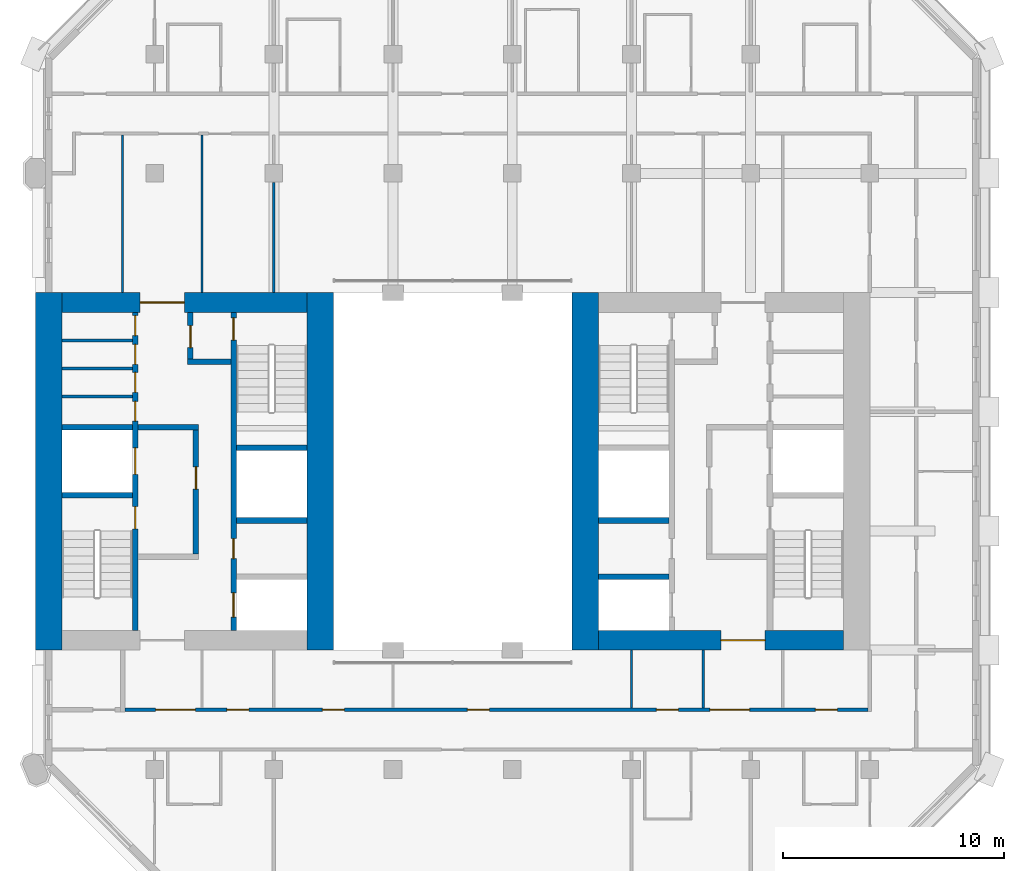
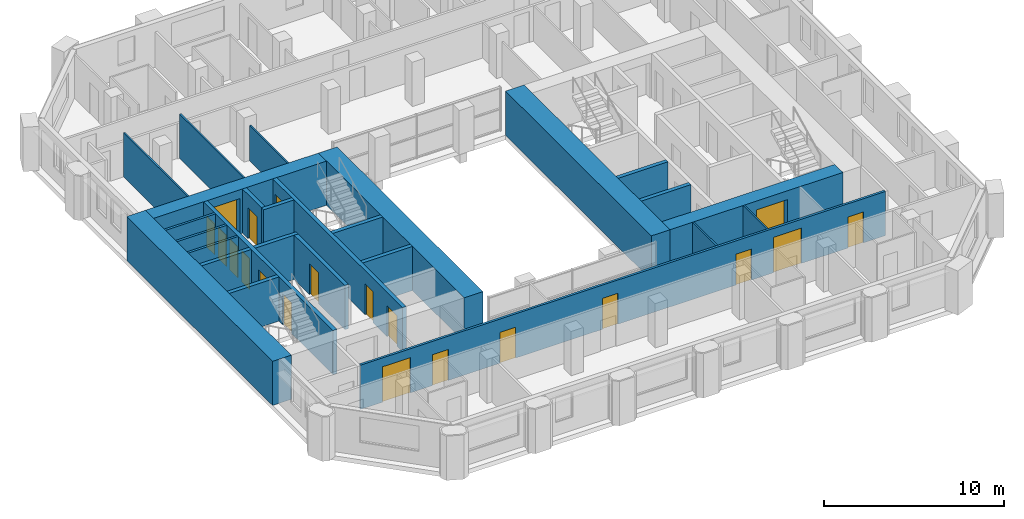
# One storey, part 5 of 12: 26 walls, 20 doors, 20 openings.
"""IFC4 building model written with IfcOpenShell, lengths in metres."""

from ifc_helpers import new_model, si_unit, direction, frame, frame_2d, origin, place, context, subcontext, project, spatial, rectangle, extrude, material, layer, layer_set, type_object, element, fill, save


model = new_model("IFC4")

# Units and contexts
model_context = context("Model", 3, precision=1e-05, world=origin(), true_north=direction((0.0, 1.0)))
body_context = subcontext(model_context, "Body", "Model", "MODEL_VIEW")
ifc_project = project(units=[si_unit("LENGTHUNIT", "METRE"), si_unit("AREAUNIT", "SQUARE_METRE"), si_unit("VOLUMEUNIT", "CUBIC_METRE"), si_unit("PLANEANGLEUNIT", "RADIAN"), si_unit("MASSUNIT", "GRAM", prefix="KILO")], contexts=[model_context])

# Site, building, storey
site_placement = place(None, origin())
site = spatial("IfcSite", under=ifc_project, at=site_placement, CompositionType="ELEMENT")
building_placement = place(site_placement, origin())
building = spatial("IfcBuilding", under=site, at=building_placement, Name="Tabaq Tower and Sports Hall", CompositionType="ELEMENT")
storey_placement = place(building_placement, frame((0.0, 0.0, 193.89990234375)))
storey = spatial("IfcBuildingStorey", under=building, at=storey_placement, Name="L47", CompositionType="ELEMENT", Elevation=193.89990234375)

# Walls
ifc_material_1 = material(Name="Blockwork", Category="masonry")
ifc_layer_1 = layer(ifc_material_1, 0.14990234375)
ifc_layer_set_1 = layer_set([ifc_layer_1], Name="Core room partition 150 Blockwork")
wall_type_1 = type_object("IfcWallType", Name="Core room partition 150 Blockwork", PredefinedType="PARTITIONING", material=ifc_layer_set_1)
for number, where, z_axis, x_axis, name in (
    (1, (6.60009765625, 27.694091796875, 0.0), (0.0, 0.0, 1.0), (1.0, 0.0, 0.0), "Core room partition W L47"),
    (2, (6.60009765625, 28.962890625, 0.0), (0.0, 0.0, 1.0), (1.0, 0.0, 0.0), "Core room partition W L47"),
    (3, (6.60009765625, 30.23193359375, 0.0), (0.0, 0.0, 1.0), (1.0, 0.0, 0.0), "Core room partition W L47"),
):
    element("IfcWall", number, at=place(storey_placement, frame(where, z_axis=z_axis, x_axis=x_axis)), inside=storey, type_object=wall_type_1, Name=name, PredefinedType="PARTITIONING", context=body_context, shape_type="SweptSolid", body=[
        extrude(rectangle(XDim=3.199951171875, YDim=0.14990234375, at=frame_2d((1.60009765625, 0.0))), origin(), (0.0, 0.0, 1.0), 3.0),
    ])
ifc_material_2 = material(Name="Concrete C50/60", Category="concrete")
ifc_layer_2 = layer(ifc_material_2, 1.199951171875)
ifc_layer_set_2 = layer_set([ifc_layer_2], Name="Core wall 1200 Concrete C50/60")
wall_type_2 = type_object("IfcWallType", Name="Core wall 1200 Concrete C50/60", PredefinedType="SOLIDWALL", material=ifc_layer_set_2)
for number, where, z_axis, x_axis, name in (
    (4, (6.0, 16.199951171875, 0.0), (0.0, 0.0, 1.0), (0.0, 1.0, 0.0), "Core wall W L47"),
    (5, (18.300048828125, 32.39990234375, 0.0), (0.0, 0.0, 1.0), (0.0, -1.0, 0.0), "Core wall W L47"),
    (6, (30.300048828125, 16.199951171875, 0.0), (0.0, 0.0, 1.0), (0.0, 1.0, 0.0), "Core wall E L47"),
):
    element("IfcWall", number, at=place(storey_placement, frame(where, z_axis=z_axis, x_axis=x_axis)), inside=storey, type_object=wall_type_2, Name=name, PredefinedType="SOLIDWALL", context=body_context, shape_type="SweptSolid", body=[
        extrude(rectangle(XDim=16.199951171875, YDim=1.199951171875, at=frame_2d((8.10009765625, 0.0))), origin(), (0.0, 0.0, 1.0), 3.0),
    ])

# Wall, opening, door
ifc_material_3 = material(Name="Concrete C50/60", Category="concrete")
ifc_layer_3 = layer(ifc_material_3, 0.89990234375)
ifc_layer_set_3 = layer_set([ifc_layer_3], Name="Core wall 900 Concrete C50/60")
wall_type_3 = type_object("IfcWallType", Name="Core wall 900 Concrete C50/60", PredefinedType="SOLIDWALL", material=ifc_layer_set_3)
wall_1_placement = place(storey_placement, frame((6.60009765625, 31.949951171875, 0.0), z_axis=(0.0, 0.0, 1.0), x_axis=(1.0, 0.0, 0.0)))
wall_1 = element("IfcWall", 7, at=wall_1_placement, inside=storey, type_object=wall_type_3, Name="Core wall W L47", PredefinedType="SOLIDWALL", context=body_context, shape_type="SweptSolid", body=[
    extrude(rectangle(XDim=11.099853515625, YDim=0.89990234375, at=frame_2d((5.5498046875, 0.0))), origin(), (0.0, 0.0, 1.0), 3.0),
])
opening_1_placement = place(wall_1_placement, frame((3.550048828125, 0.0, 0.0)))
opening_1 = element("IfcOpeningElement", 8, at=opening_1_placement, cuts=wall_1, Name="Opening PD-WL47-02", PredefinedType="OPENING", context=body_context, shape_type="SweptSolid", body=[
    extrude(rectangle(XDim=2.0, YDim=2.39990234375, at=frame_2d((1.0, 1.199951171875))), frame((0.0, 0.449951171875, 0.0), z_axis=(0.0, -1.0, 0.0), x_axis=(1.0, 0.0, 0.0)), (0.0, 0.0, 1.0), 0.89990234375),
])
ifc_material_4 = material(Name="Steel fire door", Category="steel")
door_type_1 = type_object("IfcDoorType", Name="Core entrance door 2000", OperationType="DOUBLE_DOOR_SINGLE_SWING", PredefinedType="DOOR", material=ifc_material_4)
door_1_placement = place(opening_1_placement, origin())
door_1 = element("IfcDoor", 9, at=door_1_placement, inside=storey, type_object=door_type_1, Name="Core entrance north W L47", OperationType="DOUBLE_DOOR_SINGLE_SWING", OverallHeight=2.39990234375, OverallWidth=2.0, PredefinedType="DOOR", context=body_context, shape_type="SweptSolid", body=[
    extrude(rectangle(XDim=2.0, YDim=2.39990234375, at=frame_2d((1.0, 1.199951171875))), frame((0.0, 0.02490234375, 0.0), z_axis=(0.0, -1.0, 0.0), x_axis=(1.0, 0.0, 0.0)), (0.0, 0.0, 1.0), 0.050048828125),
])
fill(opening_1, door_1)

wall_2_placement = place(storey_placement, frame((42.0, 16.64990234375, 0.0), z_axis=(0.0, 0.0, 1.0), x_axis=(-1.0, 0.0, 0.0)))
wall_2 = element("IfcWall", 10, at=wall_2_placement, inside=storey, type_object=wall_type_3, Name="Core wall E L47", PredefinedType="SOLIDWALL", context=body_context, shape_type="SweptSolid", body=[
    extrude(rectangle(XDim=11.10009765625, YDim=0.89990234375, at=frame_2d((5.550048828125, 0.0))), origin(), (0.0, 0.0, 1.0), 3.0),
])
opening_2_placement = place(wall_2_placement, frame((3.550048828125, 0.0, 0.0)))
opening_2 = element("IfcOpeningElement", 11, at=opening_2_placement, cuts=wall_2, Name="Opening PD-EL47-01", PredefinedType="OPENING", context=body_context, shape_type="SweptSolid", body=[
    extrude(rectangle(XDim=2.0, YDim=2.39990234375, at=frame_2d((1.0, 1.199951171875))), frame((0.0, 0.449951171875, 0.0), z_axis=(0.0, -1.0, 0.0), x_axis=(1.0, 0.0, 0.0)), (0.0, 0.0, 1.0), 0.89990234375),
])
door_2_placement = place(opening_2_placement, origin())
door_2 = element("IfcDoor", 12, at=door_2_placement, inside=storey, type_object=door_type_1, Name="Core entrance south E L47", OperationType="DOUBLE_DOOR_SINGLE_SWING", OverallHeight=2.39990234375, OverallWidth=2.0, PredefinedType="DOOR", context=body_context, shape_type="SweptSolid", body=[
    extrude(rectangle(XDim=2.0, YDim=2.39990234375, at=frame_2d((1.0, 1.199951171875))), frame((0.0, 0.02490234375, 0.0), z_axis=(0.0, -1.0, 0.0), x_axis=(1.0, 0.0, 0.0)), (0.0, 0.0, 1.0), 0.050048828125),
])
fill(opening_2, door_2)

# Walls
ifc_material_5 = material(Name="Gypsum board on steel studs", Category="steel")
ifc_layer_4 = layer(ifc_material_5, 0.10009765625)
ifc_layer_set_4 = layer_set([ifc_layer_4], Name="Partition 100 Gypsum board")
wall_type_4 = type_object("IfcWallType", Name="Partition 100 Gypsum board", PredefinedType="PARTITIONING", material=ifc_layer_set_4)
wall_3_placement = place(storey_placement, frame((16.199951171875, 37.3798828125, 0.0), z_axis=(0.0, 0.0, 1.0), x_axis=(0.0, -1.0, 0.0)))
element("IfcWall", 13, at=wall_3_placement, inside=storey, type_object=wall_type_4, Name="Partition wall L47", PredefinedType="PARTITIONING", context=body_context, shape_type="SweptSolid", body=[
    extrude(rectangle(XDim=4.97998046875, YDim=0.10009765625, at=frame_2d((2.489990234375, 0.0))), origin(), (0.0, 0.0, 1.0), 2.400146484375),
])
for number, where, z_axis, x_axis, name in (
    (14, (9.35009765625, 39.52490234375, 0.0), (0.0, 0.0, 1.0), (0.0, -1.0, 0.0), "Partition wall L47"),
    (15, (12.949951171875, 32.39990234375, 0.0), (0.0, 0.0, 1.0), (0.0, 1.0, 0.0), "Partition wall L47"),
):
    element("IfcWall", number, at=place(storey_placement, frame(where, z_axis=z_axis, x_axis=x_axis)), inside=storey, type_object=wall_type_4, Name=name, PredefinedType="PARTITIONING", context=body_context, shape_type="SweptSolid", body=[
        extrude(rectangle(XDim=7.125, YDim=0.10009765625, at=frame_2d((3.5625, 0.0))), origin(), (0.0, 0.0, 1.0), 3.0),
    ])
for number, where, z_axis, x_axis, name in (
    (16, (32.39990234375, 13.574951171875, 0.0), (0.0, 0.0, 1.0), (0.0, 1.0, 0.0), "Partition wall L47"),
    (17, (35.64990234375, 16.199951171875, 0.0), (0.0, 0.0, 1.0), (0.0, -1.0, 0.0), "Partition wall L47"),
):
    element("IfcWall", number, at=place(storey_placement, frame(where, z_axis=z_axis, x_axis=x_axis)), inside=storey, type_object=wall_type_4, Name=name, PredefinedType="PARTITIONING", context=body_context, shape_type="SweptSolid", body=[
        extrude(rectangle(XDim=2.625, YDim=0.10009765625, at=frame_2d((1.3125, 0.0))), origin(), (0.0, 0.0, 1.0), 3.0),
    ])

# Wall, openings, doors
ifc_material_6 = material(Name="Blockwork", Category="masonry")
ifc_layer_5 = layer(ifc_material_6, 0.14990234375)
ifc_layer_set_5 = layer_set([ifc_layer_5], Name="Separating wall 150 Blockwork")
wall_type_5 = type_object("IfcWallType", Name="Separating wall 150 Blockwork", PredefinedType="PARTITIONING", material=ifc_layer_set_5)
wall_4_placement = place(storey_placement, frame((9.449951171875, 13.5, 0.0), z_axis=(0.0, 0.0, 1.0), x_axis=(1.0, 0.0, 0.0)))
wall_4 = element("IfcWall", 18, at=wall_4_placement, inside=storey, type_object=wall_type_5, Name="Separating wall L47", PredefinedType="PARTITIONING", context=body_context, shape_type="SweptSolid", body=[
    extrude(rectangle(XDim=33.675048828125, YDim=0.14990234375, at=frame_2d((16.83740234375, 0.0))), origin(), (0.0, 0.0, 1.0), 3.0),
])
opening_3_placement = place(wall_4_placement, frame((8.949951171875, 0.0, 0.0)))
opening_3 = element("IfcOpeningElement", 19, at=opening_3_placement, cuts=wall_4, Name="Opening L47-018", PredefinedType="OPENING", context=body_context, shape_type="SweptSolid", body=[
    extrude(rectangle(XDim=1.0, YDim=2.10009765625, at=frame_2d((0.5, 1.050048828125))), frame((0.0, 0.074951171875, 0.0), z_axis=(0.0, -1.0, 0.0), x_axis=(1.0, 0.0, 0.0)), (0.0, 0.0, 1.0), 0.14990234375),
])
opening_4_placement = place(wall_4_placement, frame((15.51708984375, 0.0, 0.0)))
opening_4 = element("IfcOpeningElement", 20, at=opening_4_placement, cuts=wall_4, Name="Opening L47-019", PredefinedType="OPENING", context=body_context, shape_type="SweptSolid", body=[
    extrude(rectangle(XDim=1.0, YDim=2.10009765625, at=frame_2d((0.5, 1.050048828125))), frame((0.0, 0.074951171875, 0.0), z_axis=(0.0, -1.0, 0.0), x_axis=(1.0, 0.0, 0.0)), (0.0, 0.0, 1.0), 0.14990234375),
])
opening_5_placement = place(wall_4_placement, frame((24.074951171875, 0.0, 0.0)))
opening_5 = element("IfcOpeningElement", 21, at=opening_5_placement, cuts=wall_4, Name="Opening L47-022", PredefinedType="OPENING", context=body_context, shape_type="SweptSolid", body=[
    extrude(rectangle(XDim=1.0, YDim=2.10009765625, at=frame_2d((0.5, 1.050048828125))), frame((0.0, 0.074951171875, 0.0), z_axis=(0.0, -1.0, 0.0), x_axis=(1.0, 0.0, 0.0)), (0.0, 0.0, 1.0), 0.14990234375),
])
opening_6_placement = place(wall_4_placement, frame((31.27490234375, 0.0, 0.0)))
opening_6 = element("IfcOpeningElement", 22, at=opening_6_placement, cuts=wall_4, Name="Opening L47-023", PredefinedType="OPENING", context=body_context, shape_type="SweptSolid", body=[
    extrude(rectangle(XDim=1.0, YDim=2.10009765625, at=frame_2d((0.5, 1.050048828125))), frame((0.0, 0.074951171875, 0.0), z_axis=(0.0, -1.0, 0.0), x_axis=(1.0, 0.0, 0.0)), (0.0, 0.0, 1.0), 0.14990234375),
])
opening_7_placement = place(wall_4_placement, frame((4.625, 0.0, 0.0)))
opening_7 = element("IfcOpeningElement", 23, at=opening_7_placement, cuts=wall_4, Name="Opening L47-024", PredefinedType="OPENING", context=body_context, shape_type="SweptSolid", body=[
    extrude(rectangle(XDim=1.0, YDim=2.10009765625, at=frame_2d((0.5, 1.050048828125))), frame((0.0, 0.074951171875, 0.0), z_axis=(0.0, -1.0, 0.0), x_axis=(1.0, 0.0, 0.0)), (0.0, 0.0, 1.0), 0.14990234375),
])
opening_8_placement = place(wall_4_placement, frame((1.39990234375, 0.0, 0.0)))
opening_8 = element("IfcOpeningElement", 24, at=opening_8_placement, cuts=wall_4, Name="Opening L47-040", PredefinedType="OPENING", context=body_context, shape_type="SweptSolid", body=[
    extrude(rectangle(XDim=1.800048828125, YDim=2.39990234375, at=frame_2d((0.89990234375, 1.199951171875))), frame((0.0, 0.074951171875, 0.0), z_axis=(0.0, -1.0, 0.0), x_axis=(1.0, 0.0, 0.0)), (0.0, 0.0, 1.0), 0.14990234375),
])
opening_9_placement = place(wall_4_placement, frame((26.5, 0.0, 0.0)))
opening_9 = element("IfcOpeningElement", 25, at=opening_9_placement, cuts=wall_4, Name="Opening L47-041", PredefinedType="OPENING", context=body_context, shape_type="SweptSolid", body=[
    extrude(rectangle(XDim=1.800048828125, YDim=2.39990234375, at=frame_2d((0.89990234375, 1.199951171875))), frame((0.0, 0.074951171875, 0.0), z_axis=(0.0, -1.0, 0.0), x_axis=(1.0, 0.0, 0.0)), (0.0, 0.0, 1.0), 0.14990234375),
])
ifc_material_7 = material(Name="Timber leaf in steel frame", Category="steel")
door_type_2 = type_object("IfcDoorType", Name="Internal door 1000 left hand", OperationType="SINGLE_SWING_LEFT", PredefinedType="DOOR", material=ifc_material_7)
door_3_placement = place(opening_3_placement, origin())
door_3 = element("IfcDoor", 26, at=door_3_placement, inside=storey, type_object=door_type_2, Name="Internal door L47-018", OperationType="SINGLE_SWING_LEFT", OverallHeight=2.10009765625, OverallWidth=1.0, PredefinedType="DOOR", context=body_context, shape_type="SweptSolid", body=[
    extrude(rectangle(XDim=1.0, YDim=2.10009765625, at=frame_2d((0.5, 1.050048828125))), frame((0.0, 0.02490234375, 0.0), z_axis=(0.0, -1.0, 0.0), x_axis=(1.0, 0.0, 0.0)), (0.0, 0.0, 1.0), 0.050048828125),
])
fill(opening_3, door_3)
door_4_placement = place(opening_4_placement, origin())
door_4 = element("IfcDoor", 27, at=door_4_placement, inside=storey, type_object=door_type_2, Name="Internal door L47-019", OperationType="SINGLE_SWING_LEFT", OverallHeight=2.10009765625, OverallWidth=1.0, PredefinedType="DOOR", context=body_context, shape_type="SweptSolid", body=[
    extrude(rectangle(XDim=1.0, YDim=2.10009765625, at=frame_2d((0.5, 1.050048828125))), frame((0.0, 0.02490234375, 0.0), z_axis=(0.0, -1.0, 0.0), x_axis=(1.0, 0.0, 0.0)), (0.0, 0.0, 1.0), 0.050048828125),
])
fill(opening_4, door_4)
door_5_placement = place(opening_5_placement, origin())
door_5 = element("IfcDoor", 28, at=door_5_placement, inside=storey, type_object=door_type_2, Name="Internal door L47-022", OperationType="SINGLE_SWING_LEFT", OverallHeight=2.10009765625, OverallWidth=1.0, PredefinedType="DOOR", context=body_context, shape_type="SweptSolid", body=[
    extrude(rectangle(XDim=1.0, YDim=2.10009765625, at=frame_2d((0.5, 1.050048828125))), frame((0.0, 0.02490234375, 0.0), z_axis=(0.0, -1.0, 0.0), x_axis=(1.0, 0.0, 0.0)), (0.0, 0.0, 1.0), 0.050048828125),
])
fill(opening_5, door_5)
door_6_placement = place(opening_7_placement, origin())
door_6 = element("IfcDoor", 29, at=door_6_placement, inside=storey, type_object=door_type_2, Name="Internal door L47-024", OperationType="SINGLE_SWING_LEFT", OverallHeight=2.10009765625, OverallWidth=1.0, PredefinedType="DOOR", context=body_context, shape_type="SweptSolid", body=[
    extrude(rectangle(XDim=1.0, YDim=2.10009765625, at=frame_2d((0.5, 1.050048828125))), frame((0.0, 0.02490234375, 0.0), z_axis=(0.0, -1.0, 0.0), x_axis=(1.0, 0.0, 0.0)), (0.0, 0.0, 1.0), 0.050048828125),
])
fill(opening_7, door_6)
ifc_material_8 = material(Name="Timber leaf in steel frame", Category="steel")
door_type_3 = type_object("IfcDoorType", Name="Internal door 1000 right hand", OperationType="SINGLE_SWING_RIGHT", PredefinedType="DOOR", material=ifc_material_8)
door_7_placement = place(opening_6_placement, origin())
door_7 = element("IfcDoor", 30, at=door_7_placement, inside=storey, type_object=door_type_3, Name="Internal door L47-023", OperationType="SINGLE_SWING_RIGHT", OverallHeight=2.10009765625, OverallWidth=1.0, PredefinedType="DOOR", context=body_context, shape_type="SweptSolid", body=[
    extrude(rectangle(XDim=1.0, YDim=2.10009765625, at=frame_2d((0.5, 1.050048828125))), frame((0.0, 0.02490234375, 0.0), z_axis=(0.0, -1.0, 0.0), x_axis=(1.0, 0.0, 0.0)), (0.0, 0.0, 1.0), 0.050048828125),
])
fill(opening_6, door_7)
ifc_material_9 = material(Name="Timber leaf in steel frame", Category="steel")
door_type_4 = type_object("IfcDoorType", Name="Internal door 1800", OperationType="DOUBLE_DOOR_SINGLE_SWING", PredefinedType="DOOR", material=ifc_material_9)
door_8_placement = place(opening_8_placement, origin())
door_8 = element("IfcDoor", 31, at=door_8_placement, inside=storey, type_object=door_type_4, Name="Internal door L47-040", OperationType="DOUBLE_DOOR_SINGLE_SWING", OverallHeight=2.39990234375, OverallWidth=1.800048828125, PredefinedType="DOOR", context=body_context, shape_type="SweptSolid", body=[
    extrude(rectangle(XDim=1.800048828125, YDim=2.39990234375, at=frame_2d((0.89990234375, 1.199951171875))), frame((0.0, 0.02490234375, 0.0), z_axis=(0.0, -1.0, 0.0), x_axis=(1.0, 0.0, 0.0)), (0.0, 0.0, 1.0), 0.050048828125),
])
fill(opening_8, door_8)
door_9_placement = place(opening_9_placement, origin())
door_9 = element("IfcDoor", 32, at=door_9_placement, inside=storey, type_object=door_type_4, Name="Internal door L47-041", OperationType="DOUBLE_DOOR_SINGLE_SWING", OverallHeight=2.39990234375, OverallWidth=1.800048828125, PredefinedType="DOOR", context=body_context, shape_type="SweptSolid", body=[
    extrude(rectangle(XDim=1.800048828125, YDim=2.39990234375, at=frame_2d((0.89990234375, 1.199951171875))), frame((0.0, 0.02490234375, 0.0), z_axis=(0.0, -1.0, 0.0), x_axis=(1.0, 0.0, 0.0)), (0.0, 0.0, 1.0), 0.050048828125),
])
fill(opening_9, door_9)

ifc_material_10 = material(Name="Concrete C40/50", Category="concrete")
ifc_layer_6 = layer(ifc_material_10, 0.25)
ifc_layer_set_6 = layer_set([ifc_layer_6], Name="Shaft and stair wall 250 Concrete C40/50")
wall_type_6 = type_object("IfcWallType", Name="Shaft and stair wall 250 Concrete C40/50", PredefinedType="SOLIDWALL", material=ifc_layer_set_6)
wall_5_placement = place(storey_placement, frame((9.925048828125, 17.10009765625, 0.0), z_axis=(0.0, 0.0, 1.0), x_axis=(0.0, 1.0, 0.0)))
wall_5 = element("IfcWall", 33, at=wall_5_placement, inside=storey, type_object=wall_type_6, Name="Shaft wall W L47", PredefinedType="SOLIDWALL", context=body_context, shape_type="SweptSolid", body=[
    extrude(rectangle(XDim=14.39990234375, YDim=0.25, at=frame_2d((7.199951171875, 0.0))), origin(), (0.0, 0.0, 1.0), 3.0),
])
opening_10_placement = place(wall_5_placement, frame((4.60009765625, 0.0, 0.0)))
opening_10 = element("IfcOpeningElement", 34, at=opening_10_placement, cuts=wall_5, Name="Opening SD-WL47-03", PredefinedType="OPENING", context=body_context, shape_type="SweptSolid", body=[
    extrude(rectangle(XDim=1.0, YDim=2.10009765625, at=frame_2d((0.5, 1.050048828125))), frame((0.0, 0.125, 0.0), z_axis=(0.0, -1.0, 0.0), x_axis=(1.0, 0.0, 0.0)), (0.0, 0.0, 1.0), 0.25),
])
opening_11_placement = place(wall_5_placement, frame((7.0625, 0.0, 0.0)))
opening_11 = element("IfcOpeningElement", 35, at=opening_11_placement, cuts=wall_5, Name="Opening LD-FF1-L47", PredefinedType="OPENING", context=body_context, shape_type="SweptSolid", body=[
    extrude(rectangle(XDim=1.199951171875, YDim=2.10009765625, at=frame_2d((0.60009765625, 1.050048828125))), frame((0.0, 0.125, 0.0), z_axis=(0.0, -1.0, 0.0), x_axis=(1.0, 0.0, 0.0)), (0.0, 0.0, 1.0), 0.25),
])
opening_12_placement = place(wall_5_placement, frame((9.471923828125, 0.0, 0.0)))
opening_12 = element("IfcOpeningElement", 36, at=opening_12_placement, cuts=wall_5, Name="Opening RD-WL47-09", PredefinedType="OPENING", context=body_context, shape_type="SweptSolid", body=[
    extrude(rectangle(XDim=0.89990234375, YDim=2.10009765625, at=frame_2d((0.449951171875, 1.050048828125))), frame((0.0, 0.125, 0.0), z_axis=(0.0, -1.0, 0.0), x_axis=(1.0, 0.0, 0.0)), (0.0, 0.0, 1.0), 0.25),
])
opening_13_placement = place(wall_5_placement, frame((10.778564453125, 0.0, 0.0)))
opening_13 = element("IfcOpeningElement", 37, at=opening_13_placement, cuts=wall_5, Name="Opening RD-WL47-10", PredefinedType="OPENING", context=body_context, shape_type="SweptSolid", body=[
    extrude(rectangle(XDim=0.89990234375, YDim=2.10009765625, at=frame_2d((0.449951171875, 1.050048828125))), frame((0.0, 0.125, 0.0), z_axis=(0.0, -1.0, 0.0), x_axis=(1.0, 0.0, 0.0)), (0.0, 0.0, 1.0), 0.25),
])
opening_14_placement = place(wall_5_placement, frame((12.047607421875, 0.0, 0.0)))
opening_14 = element("IfcOpeningElement", 38, at=opening_14_placement, cuts=wall_5, Name="Opening RD-WL47-11", PredefinedType="OPENING", context=body_context, shape_type="SweptSolid", body=[
    extrude(rectangle(XDim=0.89990234375, YDim=2.10009765625, at=frame_2d((0.449951171875, 1.050048828125))), frame((0.0, 0.125, 0.0), z_axis=(0.0, -1.0, 0.0), x_axis=(1.0, 0.0, 0.0)), (0.0, 0.0, 1.0), 0.25),
])
opening_15_placement = place(wall_5_placement, frame((13.353515625, 0.0, 0.0)))
opening_15 = element("IfcOpeningElement", 39, at=opening_15_placement, cuts=wall_5, Name="Opening RD-WL47-12", PredefinedType="OPENING", context=body_context, shape_type="SweptSolid", body=[
    extrude(rectangle(XDim=0.89990234375, YDim=2.10009765625, at=frame_2d((0.449951171875, 1.050048828125))), frame((0.0, 0.125, 0.0), z_axis=(0.0, -1.0, 0.0), x_axis=(1.0, 0.0, 0.0)), (0.0, 0.0, 1.0), 0.25),
])
ifc_material_11 = material(Name="Steel fire door", Category="steel")
door_type_5 = type_object("IfcDoorType", Name="Core room door 900", OperationType="SINGLE_SWING_LEFT", PredefinedType="DOOR", material=ifc_material_11)
door_10_placement = place(opening_12_placement, origin())
door_10 = element("IfcDoor", 40, at=door_10_placement, inside=storey, type_object=door_type_5, Name="Door Cleaner's Store W L47", OperationType="SINGLE_SWING_LEFT", OverallHeight=2.10009765625, OverallWidth=0.89990234375, PredefinedType="DOOR", context=body_context, shape_type="SweptSolid", body=[
    extrude(rectangle(XDim=0.89990234375, YDim=2.10009765625, at=frame_2d((0.449951171875, 1.050048828125))), frame((0.0, 0.02490234375, 0.0), z_axis=(0.0, -1.0, 0.0), x_axis=(1.0, 0.0, 0.0)), (0.0, 0.0, 1.0), 0.050048828125),
])
fill(opening_12, door_10)
door_11_placement = place(opening_13_placement, origin())
door_11 = element("IfcDoor", 41, at=door_11_placement, inside=storey, type_object=door_type_5, Name="Door Gents WC W L47", OperationType="SINGLE_SWING_LEFT", OverallHeight=2.10009765625, OverallWidth=0.89990234375, PredefinedType="DOOR", context=body_context, shape_type="SweptSolid", body=[
    extrude(rectangle(XDim=0.89990234375, YDim=2.10009765625, at=frame_2d((0.449951171875, 1.050048828125))), frame((0.0, 0.02490234375, 0.0), z_axis=(0.0, -1.0, 0.0), x_axis=(1.0, 0.0, 0.0)), (0.0, 0.0, 1.0), 0.050048828125),
])
fill(opening_13, door_11)
door_12_placement = place(opening_14_placement, origin())
door_12 = element("IfcDoor", 42, at=door_12_placement, inside=storey, type_object=door_type_5, Name="Door Ladies WC W L47", OperationType="SINGLE_SWING_LEFT", OverallHeight=2.10009765625, OverallWidth=0.89990234375, PredefinedType="DOOR", context=body_context, shape_type="SweptSolid", body=[
    extrude(rectangle(XDim=0.89990234375, YDim=2.10009765625, at=frame_2d((0.449951171875, 1.050048828125))), frame((0.0, 0.02490234375, 0.0), z_axis=(0.0, -1.0, 0.0), x_axis=(1.0, 0.0, 0.0)), (0.0, 0.0, 1.0), 0.050048828125),
])
fill(opening_14, door_12)
door_13_placement = place(opening_15_placement, origin())
door_13 = element("IfcDoor", 43, at=door_13_placement, inside=storey, type_object=door_type_5, Name="Door Accessible WC W L47", OperationType="SINGLE_SWING_LEFT", OverallHeight=2.10009765625, OverallWidth=0.89990234375, PredefinedType="DOOR", context=body_context, shape_type="SweptSolid", body=[
    extrude(rectangle(XDim=0.89990234375, YDim=2.10009765625, at=frame_2d((0.449951171875, 1.050048828125))), frame((0.0, 0.02490234375, 0.0), z_axis=(0.0, -1.0, 0.0), x_axis=(1.0, 0.0, 0.0)), (0.0, 0.0, 1.0), 0.050048828125),
])
fill(opening_15, door_13)
ifc_material_12 = material(Name="Stainless steel", Category="steel")
door_type_6 = type_object("IfcDoorType", Name="Lift landing door 1200", OperationType="DOUBLE_DOOR_SLIDING", PredefinedType="DOOR", material=ifc_material_12)
door_14_placement = place(opening_11_placement, origin())
door_14 = element("IfcDoor", 44, at=door_14_placement, inside=storey, type_object=door_type_6, Name="Lift landing door FF1 W L47", OperationType="DOUBLE_DOOR_SLIDING", OverallHeight=2.10009765625, OverallWidth=1.199951171875, PredefinedType="DOOR", context=body_context, shape_type="SweptSolid", body=[
    extrude(rectangle(XDim=1.199951171875, YDim=2.10009765625, at=frame_2d((0.60009765625, 1.050048828125))), frame((0.0, 0.02490234375, 0.0), z_axis=(0.0, -1.0, 0.0), x_axis=(1.0, 0.0, 0.0)), (0.0, 0.0, 1.0), 0.050048828125),
])
fill(opening_11, door_14)
ifc_material_13 = material(Name="Steel fire door", Category="steel")
door_type_7 = type_object("IfcDoorType", Name="Stair door 1000", OperationType="SINGLE_SWING_LEFT", PredefinedType="DOOR", material=ifc_material_13)
door_15_placement = place(opening_10_placement, origin())
door_15 = element("IfcDoor", 45, at=door_15_placement, inside=storey, type_object=door_type_7, Name="Stair door ST1 W L47", OperationType="SINGLE_SWING_LEFT", OverallHeight=2.10009765625, OverallWidth=1.0, PredefinedType="DOOR", context=body_context, shape_type="SweptSolid", body=[
    extrude(rectangle(XDim=1.0, YDim=2.10009765625, at=frame_2d((0.5, 1.050048828125))), frame((0.0, 0.02490234375, 0.0), z_axis=(0.0, -1.0, 0.0), x_axis=(1.0, 0.0, 0.0)), (0.0, 0.0, 1.0), 0.050048828125),
])
fill(opening_10, door_15)

wall_6_placement = place(storey_placement, frame((14.375, 17.10009765625, 0.0), z_axis=(0.0, 0.0, 1.0), x_axis=(0.0, 1.0, 0.0)))
wall_6 = element("IfcWall", 46, at=wall_6_placement, inside=storey, type_object=wall_type_6, Name="Shaft wall W L47", PredefinedType="SOLIDWALL", context=body_context, shape_type="SweptSolid", body=[
    extrude(rectangle(XDim=14.39990234375, YDim=0.25, at=frame_2d((7.199951171875, 0.0))), origin(), (0.0, 0.0, 1.0), 3.0),
])
opening_16_placement = place(wall_6_placement, frame((13.14990234375, 0.0, 0.0)))
opening_16 = element("IfcOpeningElement", 47, at=opening_16_placement, cuts=wall_6, Name="Opening SD-WL47-05", PredefinedType="OPENING", context=body_context, shape_type="SweptSolid", body=[
    extrude(rectangle(XDim=1.0, YDim=2.10009765625, at=frame_2d((0.5, 1.050048828125))), frame((0.0, 0.125, 0.0), z_axis=(0.0, -1.0, 0.0), x_axis=(1.0, 0.0, 0.0)), (0.0, 0.0, 1.0), 0.25),
])
opening_17_placement = place(wall_6_placement, frame((0.60009765625, 0.0, 0.0)))
opening_17 = element("IfcOpeningElement", 48, at=opening_17_placement, cuts=wall_6, Name="Opening LD-MR1-L47", PredefinedType="OPENING", context=body_context, shape_type="SweptSolid", body=[
    extrude(rectangle(XDim=1.10009765625, YDim=2.10009765625, at=frame_2d((0.550048828125, 1.050048828125))), frame((0.0, 0.125, 0.0), z_axis=(0.0, -1.0, 0.0), x_axis=(1.0, 0.0, 0.0)), (0.0, 0.0, 1.0), 0.25),
])
opening_18_placement = place(wall_6_placement, frame((3.25, 0.0, 0.0)))
opening_18 = element("IfcOpeningElement", 49, at=opening_18_placement, cuts=wall_6, Name="Opening RD-WL47-13", PredefinedType="OPENING", context=body_context, shape_type="SweptSolid", body=[
    extrude(rectangle(XDim=0.89990234375, YDim=2.10009765625, at=frame_2d((0.449951171875, 1.050048828125))), frame((0.0, 0.125, 0.0), z_axis=(0.0, -1.0, 0.0), x_axis=(1.0, 0.0, 0.0)), (0.0, 0.0, 1.0), 0.25),
])
door_16_placement = place(opening_18_placement, origin())
door_16 = element("IfcDoor", 50, at=door_16_placement, inside=storey, type_object=door_type_5, Name="Door Cleaner's Store W L47", OperationType="SINGLE_SWING_LEFT", OverallHeight=2.10009765625, OverallWidth=0.89990234375, PredefinedType="DOOR", context=body_context, shape_type="SweptSolid", body=[
    extrude(rectangle(XDim=0.89990234375, YDim=2.10009765625, at=frame_2d((0.449951171875, 1.050048828125))), frame((0.0, 0.02490234375, 0.0), z_axis=(0.0, -1.0, 0.0), x_axis=(1.0, 0.0, 0.0)), (0.0, 0.0, 1.0), 0.050048828125),
])
fill(opening_18, door_16)
ifc_material_14 = material(Name="Stainless steel", Category="steel")
door_type_8 = type_object("IfcDoorType", Name="Lift landing door 1100", OperationType="DOUBLE_DOOR_SLIDING", PredefinedType="DOOR", material=ifc_material_14)
door_17_placement = place(opening_17_placement, origin())
door_17 = element("IfcDoor", 51, at=door_17_placement, inside=storey, type_object=door_type_8, Name="Lift landing door MR1 W L47", OperationType="DOUBLE_DOOR_SLIDING", OverallHeight=2.10009765625, OverallWidth=1.10009765625, PredefinedType="DOOR", context=body_context, shape_type="SweptSolid", body=[
    extrude(rectangle(XDim=1.10009765625, YDim=2.10009765625, at=frame_2d((0.550048828125, 1.050048828125))), frame((0.0, 0.02490234375, 0.0), z_axis=(0.0, -1.0, 0.0), x_axis=(1.0, 0.0, 0.0)), (0.0, 0.0, 1.0), 0.050048828125),
])
fill(opening_17, door_17)
door_18_placement = place(opening_16_placement, origin())
door_18 = element("IfcDoor", 52, at=door_18_placement, inside=storey, type_object=door_type_7, Name="Stair door ST2 W L47", OperationType="SINGLE_SWING_LEFT", OverallHeight=2.10009765625, OverallWidth=1.0, PredefinedType="DOOR", context=body_context, shape_type="SweptSolid", body=[
    extrude(rectangle(XDim=1.0, YDim=2.10009765625, at=frame_2d((0.5, 1.050048828125))), frame((0.0, 0.02490234375, 0.0), z_axis=(0.0, -1.0, 0.0), x_axis=(1.0, 0.0, 0.0)), (0.0, 0.0, 1.0), 0.050048828125),
])
fill(opening_16, door_18)

# Walls
for number, where, z_axis, x_axis, name in (
    (53, (6.60009765625, 23.22509765625, 0.0), (0.0, 0.0, 1.0), (1.0, 0.0, 0.0), "Stair enclosure wall W L47"),
    (54, (14.5, 25.375, 0.0), (0.0, 0.0, 1.0), (1.0, 0.0, 0.0), "Stair enclosure wall W L47"),
    (55, (14.5, 22.074951171875, 0.0), (0.0, 0.0, 1.0), (1.0, 0.0, 0.0), "Shaft wall W L47"),
    (56, (6.60009765625, 26.300048828125, 0.0), (0.0, 0.0, 1.0), (1.0, 0.0, 0.0), "Shaft wall W L47"),
):
    element("IfcWall", number, at=place(storey_placement, frame(where, z_axis=z_axis, x_axis=x_axis)), inside=storey, type_object=wall_type_6, Name=name, PredefinedType="SOLIDWALL", context=body_context, shape_type="SweptSolid", body=[
        extrude(rectangle(XDim=3.199951171875, YDim=0.25, at=frame_2d((1.60009765625, 0.0))), origin(), (0.0, 0.0, 1.0), 3.0),
    ])
wall_7_placement = place(storey_placement, frame((10.050048828125, 26.300048828125, 0.0), z_axis=(0.0, 0.0, 1.0), x_axis=(1.0, 0.0, 0.0)))
element("IfcWall", 57, at=wall_7_placement, inside=storey, type_object=wall_type_6, Name="Fire-fighting lobby wall W L47", PredefinedType="SOLIDWALL", context=body_context, shape_type="SweptSolid", body=[
    extrude(rectangle(XDim=2.75, YDim=0.25, at=frame_2d((1.375, 0.0))), origin(), (0.0, 0.0, 1.0), 3.0),
])

# Wall, opening, door
wall_8_placement = place(storey_placement, frame((12.425048828125, 29.39990234375, 0.0), z_axis=(0.0, 0.0, 1.0), x_axis=(0.0, 1.0, 0.0)))
wall_8 = element("IfcWall", 58, at=wall_8_placement, inside=storey, type_object=wall_type_6, Name="Fire-fighting lobby wall W L47", PredefinedType="SOLIDWALL", context=body_context, shape_type="SweptSolid", body=[
    extrude(rectangle(XDim=2.10009765625, YDim=0.25, at=frame_2d((1.050048828125, 0.0))), origin(), (0.0, 0.0, 1.0), 3.0),
])
opening_19_placement = place(wall_8_placement, frame((0.5, 0.0, 0.0)))
opening_19 = element("IfcOpeningElement", 59, at=opening_19_placement, cuts=wall_8, Name="Opening FD-WL47-06", PredefinedType="OPENING", context=body_context, shape_type="SweptSolid", body=[
    extrude(rectangle(XDim=1.0, YDim=2.10009765625, at=frame_2d((0.5, 1.050048828125))), frame((0.0, 0.125, 0.0), z_axis=(0.0, -1.0, 0.0), x_axis=(1.0, 0.0, 0.0)), (0.0, 0.0, 1.0), 0.25),
])
ifc_material_15 = material(Name="Steel fire door", Category="steel")
door_type_9 = type_object("IfcDoorType", Name="Fire-fighting lobby door 1000", OperationType="SINGLE_SWING_LEFT", PredefinedType="DOOR", material=ifc_material_15)
door_19_placement = place(opening_19_placement, origin())
door_19 = element("IfcDoor", 60, at=door_19_placement, inside=storey, type_object=door_type_9, Name="Stair lobby door W L47", OperationType="SINGLE_SWING_LEFT", OverallHeight=2.10009765625, OverallWidth=1.0, PredefinedType="DOOR", context=body_context, shape_type="SweptSolid", body=[
    extrude(rectangle(XDim=1.0, YDim=2.10009765625, at=frame_2d((0.5, 1.050048828125))), frame((0.0, 0.02490234375, 0.0), z_axis=(0.0, -1.0, 0.0), x_axis=(1.0, 0.0, 0.0)), (0.0, 0.0, 1.0), 0.050048828125),
])
fill(opening_19, door_19)

# Wall
wall_9_placement = place(storey_placement, frame((12.300048828125, 29.27490234375, 0.0), z_axis=(0.0, 0.0, 1.0), x_axis=(1.0, 0.0, 0.0)))
element("IfcWall", 61, at=wall_9_placement, inside=storey, type_object=wall_type_6, Name="Fire-fighting lobby wall W L47", PredefinedType="SOLIDWALL", context=body_context, shape_type="SweptSolid", body=[
    extrude(rectangle(XDim=1.949951171875, YDim=0.25, at=frame_2d((0.97509765625, 0.0))), origin(), (0.0, 0.0, 1.0), 3.0),
])

# Wall, opening, door
wall_10_placement = place(storey_placement, frame((12.675048828125, 20.550048828125, 0.0), z_axis=(0.0, 0.0, 1.0), x_axis=(0.0, 1.0, 0.0)))
wall_10 = element("IfcWall", 62, at=wall_10_placement, inside=storey, type_object=wall_type_6, Name="Fire-fighting lobby wall W L47", PredefinedType="SOLIDWALL", context=body_context, shape_type="SweptSolid", body=[
    extrude(rectangle(XDim=5.625, YDim=0.25, at=frame_2d((2.8125, 0.0))), origin(), (0.0, 0.0, 1.0), 3.0),
])
opening_20_placement = place(wall_10_placement, frame((2.949951171875, 0.0, 0.0)))
opening_20 = element("IfcOpeningElement", 63, at=opening_20_placement, cuts=wall_10, Name="Opening FD-WL47-04", PredefinedType="OPENING", context=body_context, shape_type="SweptSolid", body=[
    extrude(rectangle(XDim=1.0, YDim=2.10009765625, at=frame_2d((0.5, 1.050048828125))), frame((0.0, 0.125, 0.0), z_axis=(0.0, -1.0, 0.0), x_axis=(1.0, 0.0, 0.0)), (0.0, 0.0, 1.0), 0.25),
])
door_20_placement = place(opening_20_placement, origin())
door_20 = element("IfcDoor", 64, at=door_20_placement, inside=storey, type_object=door_type_9, Name="Fire-fighting lobby door W L47", OperationType="SINGLE_SWING_LEFT", OverallHeight=2.10009765625, OverallWidth=1.0, PredefinedType="DOOR", context=body_context, shape_type="SweptSolid", body=[
    extrude(rectangle(XDim=1.0, YDim=2.10009765625, at=frame_2d((0.5, 1.050048828125))), frame((0.0, 0.02490234375, 0.0), z_axis=(0.0, -1.0, 0.0), x_axis=(1.0, 0.0, 0.0)), (0.0, 0.0, 1.0), 0.050048828125),
])
fill(opening_20, door_20)

# Walls
for number, where, z_axis, x_axis, name in (
    (65, (30.89990234375, 22.074951171875, 0.0), (0.0, 0.0, 1.0), (1.0, 0.0, 0.0), "Shaft wall E L47"),
    (66, (30.89990234375, 19.52490234375, 0.0), (0.0, 0.0, 1.0), (1.0, 0.0, 0.0), "Shaft wall E L47"),
):
    element("IfcWall", number, at=place(storey_placement, frame(where, z_axis=z_axis, x_axis=x_axis)), inside=storey, type_object=wall_type_6, Name=name, PredefinedType="SOLIDWALL", context=body_context, shape_type="SweptSolid", body=[
        extrude(rectangle(XDim=3.2001953125, YDim=0.25, at=frame_2d((1.60009765625, 0.0))), origin(), (0.0, 0.0, 1.0), 3.0),
    ])

save(model, "model.ifc")
